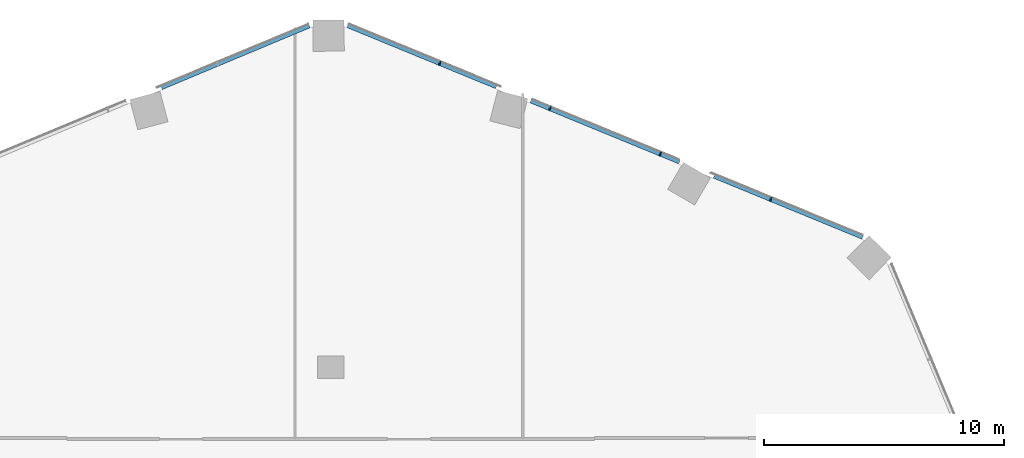
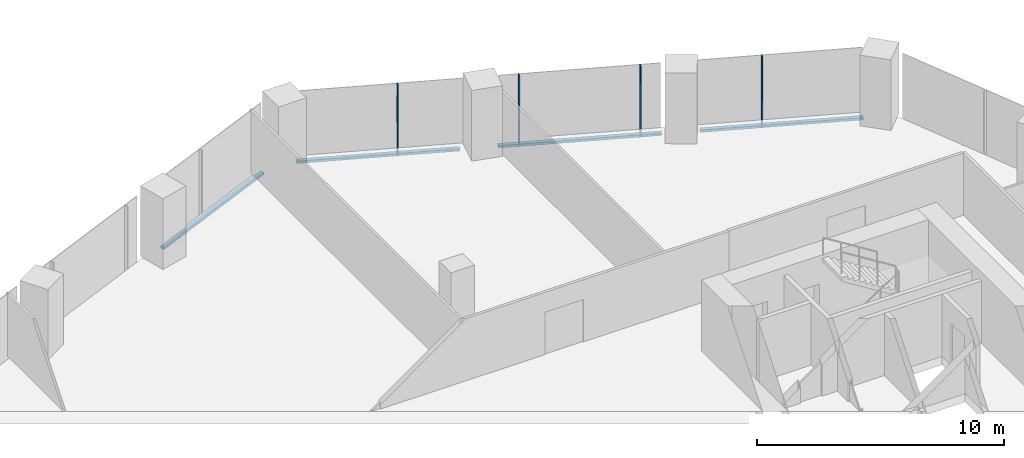
# One storey, part 13 of 34: 8 members, 2 elements without a shape of their own.
"""IFC4 building model written with IfcOpenShell, lengths in metres."""

from ifc_helpers import new_model, si_unit, direction, frame, origin, origin_2d, place, context, subcontext, project, spatial, rectangle, extrude, material, material_profile, profile_set, type_object, element, aggregate, save


model = new_model("IFC4")

# Units and contexts
model_context = context("Model", 3, precision=1e-05, world=origin(), true_north=direction((0.0, 1.0)))
body_context = subcontext(model_context, "Body", "Model", "MODEL_VIEW")
ifc_project = project(units=[si_unit("LENGTHUNIT", "METRE"), si_unit("AREAUNIT", "SQUARE_METRE"), si_unit("VOLUMEUNIT", "CUBIC_METRE"), si_unit("PLANEANGLEUNIT", "RADIAN"), si_unit("MASSUNIT", "GRAM", prefix="KILO")], contexts=[model_context])

# Site, building, storey
site_placement = place(None, origin())
site = spatial("IfcSite", under=ifc_project, at=site_placement, CompositionType="ELEMENT")
building_placement = place(site_placement, origin())
building = spatial("IfcBuilding", under=site, at=building_placement, Name="Orlundy Tower", CompositionType="ELEMENT")
storey_placement = place(building_placement, frame((0.0, 0.0, 112.699951171875)))
storey = spatial("IfcBuildingStorey", under=building, at=storey_placement, Name="L28", CompositionType="ELEMENT", Elevation=112.699951171875)

# Curtain wall, members
ifc_material_1 = material(Name="Aluminium bronze anodised", Category="aluminium")
curtain_wall_type = type_object("IfcCurtainWallType", Name="CW1 wall", PredefinedType="NOTDEFINED", material=ifc_material_1)
curtain_wall_1_placement = place(storey_placement, origin())
curtain_wall_1 = element("IfcCurtainWall", 1, at=curtain_wall_1_placement, inside=storey, type_object=curtain_wall_type, Name="CW1 run 016", PredefinedType="NOTDEFINED")
ifc_material_2 = material(Name="Aluminium bronze anodised", Category="aluminium")
ifc_material_profile_1 = material_profile(ifc_material_2, rectangle(XDim=0.179931640625, YDim=0.050048828125, at=origin_2d()), Name="CW1 mullion 50x180")
ifc_profile_set_1 = profile_set([ifc_material_profile_1], Name="Aluminium bronze anodised")
member_type_1 = type_object("IfcMemberType", Name="CW1 mullion 50x180", PredefinedType="MULLION", material=ifc_profile_set_1)
member_1_placement = place(storey_placement, frame((4.537841796875, 30.66650390625, -0.39990234375), z_axis=(0.0, 0.0, 1.0), x_axis=(0.380004927003, 0.924984462277, 0.0)))
member_1 = element("IfcMember", 2, at=member_1_placement, type_object=member_type_1, Name="CW1 mullion 45", PredefinedType="MULLION", context=body_context, shape_type="SweptSolid", body=[
    extrude(rectangle(XDim=0.179931640625, YDim=0.050048828125, at=origin_2d()), origin(), (0.0, 0.0, 1.0), 3.5),
])
member_2_placement = place(storey_placement, frame((9.135498046875, 28.777587890625, -0.39990234375), z_axis=(0.0, 0.0, 1.0), x_axis=(0.380004927003, 0.924984462277, 0.0)))
member_2 = element("IfcMember", 3, at=member_2_placement, type_object=member_type_1, Name="CW1 mullion 46", PredefinedType="MULLION", context=body_context, shape_type="SweptSolid", body=[
    extrude(rectangle(XDim=0.179931640625, YDim=0.050048828125, at=origin_2d()), origin(), (0.0, 0.0, 1.0), 3.5),
])
member_3_placement = place(storey_placement, frame((13.73291015625, 26.888916015625, -0.39990234375), z_axis=(0.0, 0.0, 1.0), x_axis=(0.380004927003, 0.924984462277, 0.0)))
member_3 = element("IfcMember", 4, at=member_3_placement, type_object=member_type_1, Name="CW1 mullion 47", PredefinedType="MULLION", context=body_context, shape_type="SweptSolid", body=[
    extrude(rectangle(XDim=0.179931640625, YDim=0.050048828125, at=origin_2d()), origin(), (0.0, 0.0, 1.0), 3.5),
])
member_4_placement = place(storey_placement, frame((18.33056640625, 25.0, -0.39990234375), z_axis=(0.0, 0.0, 1.0), x_axis=(0.380004927003, 0.924984462277, 0.0)))
member_4 = element("IfcMember", 5, at=member_4_placement, type_object=member_type_1, Name="CW1 mullion 48", PredefinedType="MULLION", context=body_context, shape_type="SweptSolid", body=[
    extrude(rectangle(XDim=0.179931640625, YDim=0.050048828125, at=origin_2d()), origin(), (0.0, 0.0, 1.0), 3.5),
])

# Curtain wall, member
curtain_wall_2_placement = place(storey_placement, origin())
curtain_wall_2 = element("IfcCurtainWall", 6, at=curtain_wall_2_placement, inside=storey, type_object=curtain_wall_type, Name="CW1 run 015", PredefinedType="NOTDEFINED")
ifc_material_3 = material(Name="Aluminium bronze anodised", Category="aluminium")
ifc_material_profile_2 = material_profile(ifc_material_3, rectangle(XDim=0.179931640625, YDim=0.1201171875, at=origin_2d()), Name="CW1 transom 180x120")
ifc_profile_set_2 = profile_set([ifc_material_profile_2], Name="Aluminium bronze anodised")
member_type_2 = type_object("IfcMemberType", Name="CW1 transom 180x120", PredefinedType="USERDEFINED", material=ifc_profile_set_2)
member_5_placement = place(storey_placement, frame((-7.062255859375, 29.659423828125, -0.33984375), z_axis=(0.922761073246, 0.385372549233, 0.0), x_axis=(-0.385372549233, 0.922761073246, 0.0)))
member_5 = element("IfcMember", 7, at=member_5_placement, type_object=member_type_2, Name="CW1 transom", ObjectType="TRANSOM", PredefinedType="USERDEFINED", context=body_context, shape_type="SweptSolid", body=[
    extrude(rectangle(XDim=0.179931640625, YDim=0.1201171875, at=origin_2d()), origin(), (0.0, 0.0, 1.0), 6.684326171875),
])
aggregate(curtain_wall_2, [member_5])

# Member
member_6_placement = place(storey_placement, frame((0.705810546875, 32.24072265625, -0.33984375), z_axis=(0.924984555997, -0.380004698875, 0.0), x_axis=(0.380004698875, 0.924984555997, 0.0)))
member_6 = element("IfcMember", 8, at=member_6_placement, type_object=member_type_2, Name="CW1 transom", ObjectType="TRANSOM", PredefinedType="USERDEFINED", context=body_context, shape_type="SweptSolid", body=[
    extrude(rectangle(XDim=0.179931640625, YDim=0.1201171875, at=origin_2d()), origin(), (0.0, 0.0, 1.0), 6.69189453125),
])

member_7_placement = place(storey_placement, frame((8.338134765625, 29.105224609375, -0.33984375), z_axis=(0.924985943317, -0.380001321927, 0.0), x_axis=(0.380001321927, 0.924985943317, 0.0)))
member_7 = element("IfcMember", 9, at=member_7_placement, type_object=member_type_2, Name="CW1 transom", ObjectType="TRANSOM", PredefinedType="USERDEFINED", context=body_context, shape_type="SweptSolid", body=[
    extrude(rectangle(XDim=0.179931640625, YDim=0.1201171875, at=origin_2d()), origin(), (0.0, 0.0, 1.0), 6.694580078125),
])

member_8_placement = place(storey_placement, frame((15.974853515625, 25.9677734375, -0.33984375), z_axis=(0.924985455705, -0.380002508853, 0.0), x_axis=(0.380002508853, 0.924985455705, 0.0)))
member_8 = element("IfcMember", 10, at=member_8_placement, type_object=member_type_2, Name="CW1 transom", ObjectType="TRANSOM", PredefinedType="USERDEFINED", context=body_context, shape_type="SweptSolid", body=[
    extrude(rectangle(XDim=0.179931640625, YDim=0.1201171875, at=origin_2d()), origin(), (0.0, 0.0, 1.0), 6.688720703125),
])

aggregate(curtain_wall_1, [member_1, member_2, member_3, member_4, member_6, member_7, member_8])

save(model, "model.ifc")
